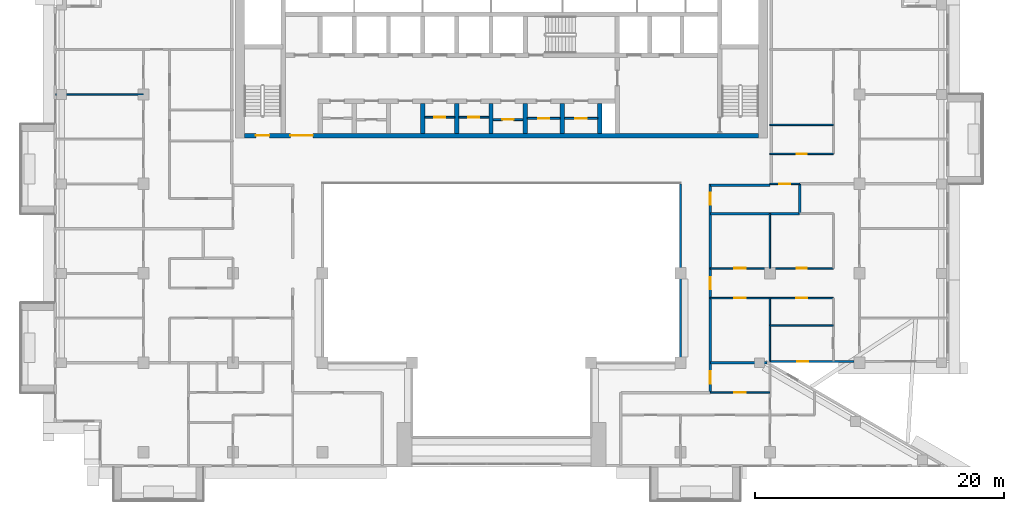
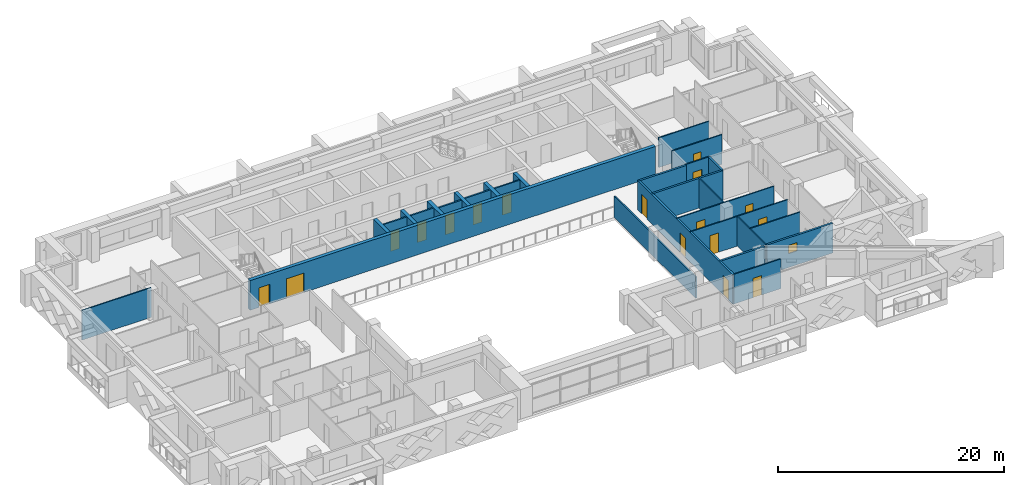
# One storey, part 9 of 20: 29 walls, 17 doors, 1 window, 18 openings.
"""IFC4 building model written with IfcOpenShell, lengths in metres."""

from ifc_helpers import new_model, si_unit, direction, frame, frame_2d, origin, place, context, subcontext, project, spatial, rectangle, extrude, material, layer, layer_set, type_object, element, fill, save


model = new_model("IFC4")

# Units and contexts
model_context = context("Model", 3, precision=1e-05, world=origin(), true_north=direction((0.0, 1.0)))
body_context = subcontext(model_context, "Body", "Model", "MODEL_VIEW")
ifc_project = project(units=[si_unit("LENGTHUNIT", "METRE"), si_unit("AREAUNIT", "SQUARE_METRE"), si_unit("VOLUMEUNIT", "CUBIC_METRE"), si_unit("PLANEANGLEUNIT", "RADIAN"), si_unit("MASSUNIT", "GRAM", prefix="KILO")], contexts=[model_context])

# Site, building, storey
site_placement = place(None, origin())
site = spatial("IfcSite", under=ifc_project, at=site_placement, CompositionType="ELEMENT")
building_placement = place(site_placement, origin())
building = spatial("IfcBuilding", under=site, at=building_placement, Name="Saffron Iwan Residences", CompositionType="ELEMENT")
storey_placement = place(building_placement, frame((0.0, 0.0, 192.0)))
storey = spatial("IfcBuildingStorey", under=building, at=storey_placement, Name="L51", CompositionType="ELEMENT", Elevation=192.0)

# Wall
ifc_material_1 = material(Name="Fire-rated glazing", Category="glass")
ifc_layer_1 = layer(ifc_material_1, 0.14990234375)
ifc_layer_set_1 = layer_set([ifc_layer_1], Name="Fire-rated glazing")
wall_type_1 = type_object("IfcWallType", Name="Atrium glazed screen 150", PredefinedType="SOLIDWALL", material=ifc_layer_set_1)
wall_1_placement = place(storey_placement, frame((64.800048828125, 48.0, 0.0), z_axis=(0.0, 0.0, 1.0), x_axis=(0.0, 1.0, 0.0)))
element("IfcWall", 1, at=wall_1_placement, inside=storey, type_object=wall_type_1, Name="W-L51-SCREEN-v64.8-48", PredefinedType="SOLIDWALL", context=body_context, shape_type="SweptSolid", body=[
    extrude(rectangle(XDim=14.39990234375, YDim=0.14990234375, at=frame_2d((7.199951171875, 0.0))), origin(), (0.0, 0.0, 1.0), 2.300048828125),
])

# Wall, opening, door
ifc_material_2 = material(Name="Fire-rated plasterboard partition")
ifc_layer_2 = layer(ifc_material_2, 0.14990234375)
ifc_layer_set_2 = layer_set([ifc_layer_2], Name="Fire-rated plasterboard partition")
wall_type_2 = type_object("IfcWallType", Name="Core partition 150", PredefinedType="PARTITIONING", material=ifc_layer_set_2)
wall_2_placement = place(storey_placement, frame((44.22509765625, 67.759521484375, 0.0), z_axis=(0.0, 0.0, 1.0), x_axis=(1.0, 0.0, 0.0)))
wall_2 = element("IfcWall", 2, at=wall_2_placement, inside=storey, type_object=wall_type_2, Name="Core partition P03", PredefinedType="PARTITIONING", context=body_context, shape_type="SweptSolid", body=[
    extrude(rectangle(XDim=2.39990234375, YDim=0.14990234375, at=frame_2d((1.199951171875, 0.0))), origin(), (0.0, 0.0, 1.0), 3.199951171875),
])
opening_1_placement = place(wall_2_placement, frame((0.75, 0.0, 0.0)))
opening_1 = element("IfcOpeningElement", 3, at=opening_1_placement, cuts=wall_2, Name="Opening SB", PredefinedType="OPENING", context=body_context, shape_type="SweptSolid", body=[
    extrude(rectangle(XDim=0.89990234375, YDim=2.10009765625, at=frame_2d((0.449951171875, 1.050048828125))), frame((0.0, 0.0849609375, 0.0), z_axis=(0.0, -1.0, 0.0), x_axis=(1.0, 0.0, 0.0)), (0.0, 0.0, 1.0), 0.169921875),
])
ifc_material_3 = material(Name="Steel fire door", Category="steel")
door_type_1 = type_object("IfcDoorType", Name="Store door 900", OperationType="NOTDEFINED", PredefinedType="DOOR", material=ifc_material_3)
door_1_placement = place(opening_1_placement, origin())
door_1 = element("IfcDoor", 4, at=door_1_placement, inside=storey, type_object=door_type_1, Name="Door Records store", OperationType="SINGLE_SWING_RIGHT", OverallHeight=2.10009765625, OverallWidth=0.89990234375, PredefinedType="DOOR", context=body_context, shape_type="SweptSolid", body=[
    extrude(rectangle(XDim=0.89990234375, YDim=2.10009765625, at=frame_2d((0.449951171875, 1.050048828125))), frame((0.0, 0.02490234375, 0.0), z_axis=(0.0, -1.0, 0.0), x_axis=(1.0, 0.0, 0.0)), (0.0, 0.0, 1.0), 0.050048828125),
])
fill(opening_1, door_1)

wall_3_placement = place(storey_placement, frame((46.97509765625, 67.759521484375, 0.0), z_axis=(0.0, 0.0, 1.0), x_axis=(1.0, 0.0, 0.0)))
wall_3 = element("IfcWall", 5, at=wall_3_placement, inside=storey, type_object=wall_type_2, Name="Core partition P04", PredefinedType="PARTITIONING", context=body_context, shape_type="SweptSolid", body=[
    extrude(rectangle(XDim=2.39990234375, YDim=0.14990234375, at=frame_2d((1.199951171875, 0.0))), origin(), (0.0, 0.0, 1.0), 3.199951171875),
])
opening_2_placement = place(wall_3_placement, frame((0.75, 0.0, 0.0)))
opening_2 = element("IfcOpeningElement", 6, at=opening_2_placement, cuts=wall_3, Name="Opening SB", PredefinedType="OPENING", context=body_context, shape_type="SweptSolid", body=[
    extrude(rectangle(XDim=0.89990234375, YDim=2.10009765625, at=frame_2d((0.449951171875, 1.050048828125))), frame((0.0, 0.0849609375, 0.0), z_axis=(0.0, -1.0, 0.0), x_axis=(1.0, 0.0, 0.0)), (0.0, 0.0, 1.0), 0.169921875),
])
door_2_placement = place(opening_2_placement, origin())
door_2 = element("IfcDoor", 7, at=door_2_placement, inside=storey, type_object=door_type_1, Name="Door Stationery store", OperationType="SINGLE_SWING_LEFT", OverallHeight=2.10009765625, OverallWidth=0.89990234375, PredefinedType="DOOR", context=body_context, shape_type="SweptSolid", body=[
    extrude(rectangle(XDim=0.89990234375, YDim=2.10009765625, at=frame_2d((0.449951171875, 1.050048828125))), frame((0.0, 0.02490234375, 0.0), z_axis=(0.0, -1.0, 0.0), x_axis=(1.0, 0.0, 0.0)), (0.0, 0.0, 1.0), 0.050048828125),
])
fill(opening_2, door_2)

wall_4_placement = place(storey_placement, frame((49.72509765625, 67.5654296875, 0.0), z_axis=(0.0, 0.0, 1.0), x_axis=(1.0, 0.0, 0.0)))
wall_4 = element("IfcWall", 8, at=wall_4_placement, inside=storey, type_object=wall_type_2, Name="Core partition P05", PredefinedType="PARTITIONING", context=body_context, shape_type="SweptSolid", body=[
    extrude(rectangle(XDim=2.39990234375, YDim=0.14990234375, at=frame_2d((1.199951171875, 0.0))), origin(), (0.0, 0.0, 1.0), 3.199951171875),
])
opening_3_placement = place(wall_4_placement, frame((0.75, 0.0, 0.0)))
opening_3 = element("IfcOpeningElement", 9, at=opening_3_placement, cuts=wall_4, Name="Opening SB", PredefinedType="OPENING", context=body_context, shape_type="SweptSolid", body=[
    extrude(rectangle(XDim=0.89990234375, YDim=2.10009765625, at=frame_2d((0.449951171875, 1.050048828125))), frame((0.0, 0.0849609375, 0.0), z_axis=(0.0, -1.0, 0.0), x_axis=(1.0, 0.0, 0.0)), (0.0, 0.0, 1.0), 0.169921875),
])
door_3_placement = place(opening_3_placement, origin())
door_3 = element("IfcDoor", 10, at=door_3_placement, inside=storey, type_object=door_type_1, Name="Door Tool store", OperationType="SINGLE_SWING_LEFT", OverallHeight=2.10009765625, OverallWidth=0.89990234375, PredefinedType="DOOR", context=body_context, shape_type="SweptSolid", body=[
    extrude(rectangle(XDim=0.89990234375, YDim=2.10009765625, at=frame_2d((0.449951171875, 1.050048828125))), frame((0.0, 0.02490234375, 0.0), z_axis=(0.0, -1.0, 0.0), x_axis=(1.0, 0.0, 0.0)), (0.0, 0.0, 1.0), 0.050048828125),
])
fill(opening_3, door_3)

wall_5_placement = place(storey_placement, frame((52.47509765625, 67.66259765625, 0.0), z_axis=(0.0, 0.0, 1.0), x_axis=(1.0, 0.0, 0.0)))
wall_5 = element("IfcWall", 11, at=wall_5_placement, inside=storey, type_object=wall_type_2, Name="Core partition P06", PredefinedType="PARTITIONING", context=body_context, shape_type="SweptSolid", body=[
    extrude(rectangle(XDim=2.64990234375, YDim=0.14990234375, at=frame_2d((1.324951171875, 0.0))), origin(), (0.0, 0.0, 1.0), 3.199951171875),
])
opening_4_placement = place(wall_5_placement, frame((0.875, 0.0, 0.0)))
opening_4 = element("IfcOpeningElement", 12, at=opening_4_placement, cuts=wall_5, Name="Opening SB", PredefinedType="OPENING", context=body_context, shape_type="SweptSolid", body=[
    extrude(rectangle(XDim=0.89990234375, YDim=2.10009765625, at=frame_2d((0.449951171875, 1.050048828125))), frame((0.0, 0.0849609375, 0.0), z_axis=(0.0, -1.0, 0.0), x_axis=(1.0, 0.0, 0.0)), (0.0, 0.0, 1.0), 0.169921875),
])
door_4_placement = place(opening_4_placement, origin())
door_4 = element("IfcDoor", 13, at=door_4_placement, inside=storey, type_object=door_type_1, Name="Door Spares store", OperationType="SINGLE_SWING_LEFT", OverallHeight=2.10009765625, OverallWidth=0.89990234375, PredefinedType="DOOR", context=body_context, shape_type="SweptSolid", body=[
    extrude(rectangle(XDim=0.89990234375, YDim=2.10009765625, at=frame_2d((0.449951171875, 1.050048828125))), frame((0.0, 0.02490234375, 0.0), z_axis=(0.0, -1.0, 0.0), x_axis=(1.0, 0.0, 0.0)), (0.0, 0.0, 1.0), 0.050048828125),
])
fill(opening_4, door_4)

wall_6_placement = place(storey_placement, frame((55.47509765625, 67.66259765625, 0.0), z_axis=(0.0, 0.0, 1.0), x_axis=(1.0, 0.0, 0.0)))
wall_6 = element("IfcWall", 14, at=wall_6_placement, inside=storey, type_object=wall_type_2, Name="Core partition P07", PredefinedType="PARTITIONING", context=body_context, shape_type="SweptSolid", body=[
    extrude(rectangle(XDim=2.64990234375, YDim=0.14990234375, at=frame_2d((1.324951171875, 0.0))), origin(), (0.0, 0.0, 1.0), 3.199951171875),
])
opening_5_placement = place(wall_6_placement, frame((0.875, 0.0, 0.0)))
opening_5 = element("IfcOpeningElement", 15, at=opening_5_placement, cuts=wall_6, Name="Opening SB", PredefinedType="OPENING", context=body_context, shape_type="SweptSolid", body=[
    extrude(rectangle(XDim=0.89990234375, YDim=2.10009765625, at=frame_2d((0.449951171875, 1.050048828125))), frame((0.0, 0.0849609375, 0.0), z_axis=(0.0, -1.0, 0.0), x_axis=(1.0, 0.0, 0.0)), (0.0, 0.0, 1.0), 0.169921875),
])
door_5_placement = place(opening_5_placement, origin())
door_5 = element("IfcDoor", 16, at=door_5_placement, inside=storey, type_object=door_type_1, Name="Door Battery room", OperationType="SINGLE_SWING_LEFT", OverallHeight=2.10009765625, OverallWidth=0.89990234375, PredefinedType="DOOR", context=body_context, shape_type="SweptSolid", body=[
    extrude(rectangle(XDim=0.89990234375, YDim=2.10009765625, at=frame_2d((0.449951171875, 1.050048828125))), frame((0.0, 0.02490234375, 0.0), z_axis=(0.0, -1.0, 0.0), x_axis=(1.0, 0.0, 0.0)), (0.0, 0.0, 1.0), 0.050048828125),
])
fill(opening_5, door_5)

# Wall, opening, window
ifc_material_4 = material(Name="Concrete C40/50", Category="concrete")
ifc_layer_3 = layer(ifc_material_4, 0.199951171875)
ifc_layer_set_3 = layer_set([ifc_layer_3], Name="Concrete C40/50")
wall_type_3 = type_object("IfcWallType", Name="EXTERNAL WALL 200", PredefinedType="SOLIDWALL", material=ifc_layer_set_3)
wall_7_placement = place(storey_placement, frame((71.989990234375, 48.10009765625, 0.0), z_axis=(0.0, 0.0, 1.0), x_axis=(1.0, 0.0, 0.0)))
wall_7 = element("IfcWall", 17, at=wall_7_placement, inside=storey, type_object=wall_type_3, Name="External wall L51 F1.0", PredefinedType="SOLIDWALL", context=body_context, shape_type="SweptSolid", body=[
    extrude(rectangle(XDim=6.760009765625, YDim=0.199951171875, at=frame_2d((3.3798828125, 0.0))), origin(), (0.0, 0.0, 1.0), 3.199951171875),
])
opening_6_placement = place(wall_7_placement, frame((2.204833984375, 0.0, 1.5)))
opening_6 = element("IfcOpeningElement", 18, at=opening_6_placement, cuts=wall_7, Name="Opening W6", PredefinedType="OPENING", context=body_context, shape_type="SweptSolid", body=[
    extrude(rectangle(XDim=0.89990234375, YDim=0.89990234375, at=frame_2d((0.449951171875, 0.449951171875))), frame((0.0, 0.10986328125, 0.0), z_axis=(0.0, -1.0, 0.0), x_axis=(1.0, 0.0, 0.0)), (0.0, 0.0, 1.0), 0.219970703125),
])
ifc_material_5 = material(Name="Clear glass, laminated double glazed", Category="glass")
window_type = type_object("IfcWindowType", Name="WINDOW 900 x 900 BATH", PartitioningType="SINGLE_PANEL", PredefinedType="WINDOW", material=ifc_material_5)
window_placement = place(opening_6_placement, origin())
window = element("IfcWindow", 19, at=window_placement, inside=storey, type_object=window_type, Name="Window L51 F1.0", OverallHeight=0.89990234375, OverallWidth=0.89990234375, PartitioningType="SINGLE_PANEL", PredefinedType="WINDOW", context=body_context, shape_type="SweptSolid", body=[
    extrude(rectangle(XDim=0.89990234375, YDim=0.89990234375, at=frame_2d((0.449951171875, 0.449951171875))), frame((0.0, 0.030029296875, 0.0), z_axis=(0.0, -1.0, 0.0), x_axis=(1.0, 0.0, 0.0)), (0.0, 0.0, 1.0), 0.06005859375),
])
fill(opening_6, window)

# Walls
ifc_material_6 = material(Name="Fire-rated gypsum board wall")
ifc_layer_4 = layer(ifc_material_6, 0.199951171875)
ifc_layer_set_4 = layer_set([ifc_layer_4], Name="Fire-rated gypsum board wall")
wall_type_4 = type_object("IfcWallType", Name="Flat demising wall 200", PredefinedType="SOLIDWALL", material=ifc_layer_set_4)
wall_8_placement = place(storey_placement, frame((67.199951171875, 48.0, 0.0), z_axis=(0.0, 0.0, 1.0), x_axis=(1.0, 0.0, 0.0)))
element("IfcWall", 20, at=wall_8_placement, inside=storey, type_object=wall_type_4, Name="W-L51-DEMISE-h48-67.2", PredefinedType="SOLIDWALL", context=body_context, shape_type="SweptSolid", body=[
    extrude(rectangle(XDim=4.552001953125, YDim=0.199951171875, at=frame_2d((2.27587890625, 0.0))), origin(), (0.0, 0.0, 1.0), 3.199951171875),
])
wall_9_placement = place(storey_placement, frame((67.199951171875, 60.0, 0.0), z_axis=(0.0, 0.0, 1.0), x_axis=(1.0, 0.0, 0.0)))
element("IfcWall", 21, at=wall_9_placement, inside=storey, type_object=wall_type_4, Name="W-L51-DEMISE-h60-67.2", PredefinedType="SOLIDWALL", context=body_context, shape_type="SweptSolid", body=[
    extrude(rectangle(XDim=7.199951171875, YDim=0.199951171875, at=frame_2d((3.60009765625, 0.0))), origin(), (0.0, 0.0, 1.0), 3.199951171875),
])
wall_10_placement = place(storey_placement, frame((74.39990234375, 60.0, 0.0), z_axis=(0.0, 0.0, 1.0), x_axis=(0.0, 1.0, 0.0)))
element("IfcWall", 22, at=wall_10_placement, inside=storey, type_object=wall_type_4, Name="W-L51-DEMISE-v74.4-60", PredefinedType="SOLIDWALL", context=body_context, shape_type="SweptSolid", body=[
    extrude(rectangle(XDim=2.39990234375, YDim=0.199951171875, at=frame_2d((1.199951171875, 0.0))), origin(), (0.0, 0.0, 1.0), 3.199951171875),
])

# Wall, opening, door
ifc_material_7 = material(Name="Gypsum board partition")
ifc_layer_5 = layer(ifc_material_7, 0.1201171875)
ifc_layer_set_5 = layer_set([ifc_layer_5], Name="Gypsum board partition")
wall_type_5 = type_object("IfcWallType", Name="Flat partition 120", PredefinedType="PARTITIONING", material=ifc_layer_set_5)
wall_11_placement = place(storey_placement, frame((67.199951171875, 45.60009765625, 0.0), z_axis=(0.0, 0.0, 1.0), x_axis=(1.0, 0.0, 0.0)))
wall_11 = element("IfcWall", 23, at=wall_11_placement, inside=storey, type_object=wall_type_5, Name="W-L51-PART-h45.6-67.2", PredefinedType="PARTITIONING", context=body_context, shape_type="SweptSolid", body=[
    extrude(rectangle(XDim=4.800048828125, YDim=0.1201171875, at=frame_2d((2.39990234375, 0.0))), origin(), (0.0, 0.0, 1.0), 3.199951171875),
])
opening_7_placement = place(wall_11_placement, frame((1.949951171875, 0.0, 0.0)))
opening_7 = element("IfcOpeningElement", 24, at=opening_7_placement, cuts=wall_11, Name="Opening FD2", PredefinedType="OPENING", context=body_context, shape_type="SweptSolid", body=[
    extrude(rectangle(XDim=0.89990234375, YDim=2.10009765625, at=frame_2d((0.449951171875, 1.050048828125))), frame((0.0, 0.070068359375, 0.0), z_axis=(0.0, -1.0, 0.0), x_axis=(1.0, 0.0, 0.0)), (0.0, 0.0, 1.0), 0.14013671875),
])
ifc_material_8 = material(Name="Timber door", Category="wood")
door_type_2 = type_object("IfcDoorType", Name="Flat door 900", OperationType="NOTDEFINED", PredefinedType="DOOR", material=ifc_material_8)
door_6_placement = place(opening_7_placement, origin())
door_6 = element("IfcDoor", 25, at=door_6_placement, inside=storey, type_object=door_type_2, Name="Door L51-043", OperationType="SINGLE_SWING_RIGHT", OverallHeight=2.10009765625, OverallWidth=0.89990234375, PredefinedType="DOOR", context=body_context, shape_type="SweptSolid", body=[
    extrude(rectangle(XDim=0.89990234375, YDim=2.10009765625, at=frame_2d((0.449951171875, 1.050048828125))), frame((0.0, 0.02490234375, 0.0), z_axis=(0.0, -1.0, 0.0), x_axis=(1.0, 0.0, 0.0)), (0.0, 0.0, 1.0), 0.050048828125),
])
fill(opening_7, door_6)

# Wall
wall_12_placement = place(storey_placement, frame((72.0, 51.0, 0.0), z_axis=(0.0, 0.0, 1.0), x_axis=(1.0, 0.0, 0.0)))
element("IfcWall", 26, at=wall_12_placement, inside=storey, type_object=wall_type_5, Name="W-L51-PART-h51-72", PredefinedType="PARTITIONING", context=body_context, shape_type="SweptSolid", body=[
    extrude(rectangle(XDim=5.10009765625, YDim=0.1201171875, at=frame_2d((2.550048828125, 0.0))), origin(), (0.0, 0.0, 1.0), 3.199951171875),
])

# Wall, openings, doors
wall_13_placement = place(storey_placement, frame((67.199951171875, 53.199951171875, 0.0), z_axis=(0.0, 0.0, 1.0), x_axis=(1.0, 0.0, 0.0)))
wall_13 = element("IfcWall", 27, at=wall_13_placement, inside=storey, type_object=wall_type_5, Name="W-L51-PART-h53.2-67.2", PredefinedType="PARTITIONING", context=body_context, shape_type="SweptSolid", body=[
    extrude(rectangle(XDim=9.900146484375, YDim=0.1201171875, at=frame_2d((4.9501953125, 0.0))), origin(), (0.0, 0.0, 1.0), 3.199951171875),
])
opening_8_placement = place(wall_13_placement, frame((6.89990234375, 0.0, 0.0)))
opening_8 = element("IfcOpeningElement", 28, at=opening_8_placement, cuts=wall_13, Name="Opening FD2", PredefinedType="OPENING", context=body_context, shape_type="SweptSolid", body=[
    extrude(rectangle(XDim=0.89990234375, YDim=2.10009765625, at=frame_2d((0.449951171875, 1.050048828125))), frame((0.0, 0.070068359375, 0.0), z_axis=(0.0, -1.0, 0.0), x_axis=(1.0, 0.0, 0.0)), (0.0, 0.0, 1.0), 0.14013671875),
])
opening_9_placement = place(wall_13_placement, frame((1.949951171875, 0.0, 0.0)))
opening_9 = element("IfcOpeningElement", 29, at=opening_9_placement, cuts=wall_13, Name="Opening FD2", PredefinedType="OPENING", context=body_context, shape_type="SweptSolid", body=[
    extrude(rectangle(XDim=0.89990234375, YDim=2.10009765625, at=frame_2d((0.449951171875, 1.050048828125))), frame((0.0, 0.070068359375, 0.0), z_axis=(0.0, -1.0, 0.0), x_axis=(1.0, 0.0, 0.0)), (0.0, 0.0, 1.0), 0.14013671875),
])
door_7_placement = place(opening_8_placement, origin())
door_7 = element("IfcDoor", 30, at=door_7_placement, inside=storey, type_object=door_type_2, Name="Door L51-020", OperationType="SINGLE_SWING_LEFT", OverallHeight=2.10009765625, OverallWidth=0.89990234375, PredefinedType="DOOR", context=body_context, shape_type="SweptSolid", body=[
    extrude(rectangle(XDim=0.89990234375, YDim=2.10009765625, at=frame_2d((0.449951171875, 1.050048828125))), frame((0.0, 0.02490234375, 0.0), z_axis=(0.0, -1.0, 0.0), x_axis=(1.0, 0.0, 0.0)), (0.0, 0.0, 1.0), 0.050048828125),
])
fill(opening_8, door_7)
door_8_placement = place(opening_9_placement, origin())
door_8 = element("IfcDoor", 31, at=door_8_placement, inside=storey, type_object=door_type_2, Name="Door L51-022", OperationType="SINGLE_SWING_RIGHT", OverallHeight=2.10009765625, OverallWidth=0.89990234375, PredefinedType="DOOR", context=body_context, shape_type="SweptSolid", body=[
    extrude(rectangle(XDim=0.89990234375, YDim=2.10009765625, at=frame_2d((0.449951171875, 1.050048828125))), frame((0.0, 0.02490234375, 0.0), z_axis=(0.0, -1.0, 0.0), x_axis=(1.0, 0.0, 0.0)), (0.0, 0.0, 1.0), 0.050048828125),
])
fill(opening_9, door_8)

wall_14_placement = place(storey_placement, frame((67.199951171875, 55.60009765625, 0.0), z_axis=(0.0, 0.0, 1.0), x_axis=(1.0, 0.0, 0.0)))
wall_14 = element("IfcWall", 32, at=wall_14_placement, inside=storey, type_object=wall_type_5, Name="W-L51-PART-h55.6-67.2", PredefinedType="PARTITIONING", context=body_context, shape_type="SweptSolid", body=[
    extrude(rectangle(XDim=9.900146484375, YDim=0.1201171875, at=frame_2d((4.9501953125, 0.0))), origin(), (0.0, 0.0, 1.0), 3.199951171875),
])
opening_10_placement = place(wall_14_placement, frame((6.949951171875, 0.0, 0.0)))
opening_10 = element("IfcOpeningElement", 33, at=opening_10_placement, cuts=wall_14, Name="Opening FD3", PredefinedType="OPENING", context=body_context, shape_type="SweptSolid", body=[
    extrude(rectangle(XDim=0.800048828125, YDim=2.10009765625, at=frame_2d((0.39990234375, 1.050048828125))), frame((0.0, 0.070068359375, 0.0), z_axis=(0.0, -1.0, 0.0), x_axis=(1.0, 0.0, 0.0)), (0.0, 0.0, 1.0), 0.14013671875),
])
opening_11_placement = place(wall_14_placement, frame((1.949951171875, 0.0, 0.0)))
opening_11 = element("IfcOpeningElement", 34, at=opening_11_placement, cuts=wall_14, Name="Opening FD2", PredefinedType="OPENING", context=body_context, shape_type="SweptSolid", body=[
    extrude(rectangle(XDim=0.89990234375, YDim=2.10009765625, at=frame_2d((0.449951171875, 1.050048828125))), frame((0.0, 0.070068359375, 0.0), z_axis=(0.0, -1.0, 0.0), x_axis=(1.0, 0.0, 0.0)), (0.0, 0.0, 1.0), 0.14013671875),
])
door_type_3 = type_object("IfcDoorType", Name="Bathroom door 800", OperationType="NOTDEFINED", PredefinedType="DOOR", material=ifc_material_8)
door_9_placement = place(opening_10_placement, origin())
door_9 = element("IfcDoor", 35, at=door_9_placement, inside=storey, type_object=door_type_3, Name="Door L51-021", OperationType="SINGLE_SWING_LEFT", OverallHeight=2.10009765625, OverallWidth=0.800048828125, PredefinedType="DOOR", context=body_context, shape_type="SweptSolid", body=[
    extrude(rectangle(XDim=0.800048828125, YDim=2.10009765625, at=frame_2d((0.39990234375, 1.050048828125))), frame((0.0, 0.02490234375, 0.0), z_axis=(0.0, -1.0, 0.0), x_axis=(1.0, 0.0, 0.0)), (0.0, 0.0, 1.0), 0.050048828125),
])
fill(opening_10, door_9)
door_10_placement = place(opening_11_placement, origin())
door_10 = element("IfcDoor", 36, at=door_10_placement, inside=storey, type_object=door_type_2, Name="Door L51-023", OperationType="SINGLE_SWING_LEFT", OverallHeight=2.10009765625, OverallWidth=0.89990234375, PredefinedType="DOOR", context=body_context, shape_type="SweptSolid", body=[
    extrude(rectangle(XDim=0.89990234375, YDim=2.10009765625, at=frame_2d((0.449951171875, 1.050048828125))), frame((0.0, 0.02490234375, 0.0), z_axis=(0.0, -1.0, 0.0), x_axis=(1.0, 0.0, 0.0)), (0.0, 0.0, 1.0), 0.050048828125),
])
fill(opening_11, door_10)

# Wall, opening, door
wall_15_placement = place(storey_placement, frame((72.0, 62.39990234375, 0.0), z_axis=(0.0, 0.0, 1.0), x_axis=(1.0, 0.0, 0.0)))
wall_15 = element("IfcWall", 37, at=wall_15_placement, inside=storey, type_object=wall_type_5, Name="W-L51-PART-h62.4-72", PredefinedType="PARTITIONING", context=body_context, shape_type="SweptSolid", body=[
    extrude(rectangle(XDim=2.39990234375, YDim=0.1201171875, at=frame_2d((1.199951171875, 0.0))), origin(), (0.0, 0.0, 1.0), 3.199951171875),
])
opening_12_placement = place(wall_15_placement, frame((0.75, 0.0, 0.0)))
opening_12 = element("IfcOpeningElement", 38, at=opening_12_placement, cuts=wall_15, Name="Opening FD2", PredefinedType="OPENING", context=body_context, shape_type="SweptSolid", body=[
    extrude(rectangle(XDim=0.89990234375, YDim=2.10009765625, at=frame_2d((0.449951171875, 1.050048828125))), frame((0.0, 0.070068359375, 0.0), z_axis=(0.0, -1.0, 0.0), x_axis=(1.0, 0.0, 0.0)), (0.0, 0.0, 1.0), 0.14013671875),
])
door_11_placement = place(opening_12_placement, origin())
door_11 = element("IfcDoor", 39, at=door_11_placement, inside=storey, type_object=door_type_2, Name="Door L51-034", OperationType="SINGLE_SWING_RIGHT", OverallHeight=2.10009765625, OverallWidth=0.89990234375, PredefinedType="DOOR", context=body_context, shape_type="SweptSolid", body=[
    extrude(rectangle(XDim=0.89990234375, YDim=2.10009765625, at=frame_2d((0.449951171875, 1.050048828125))), frame((0.0, 0.02490234375, 0.0), z_axis=(0.0, -1.0, 0.0), x_axis=(1.0, 0.0, 0.0)), (0.0, 0.0, 1.0), 0.050048828125),
])
fill(opening_12, door_11)

wall_16_placement = place(storey_placement, frame((72.0, 64.800048828125, 0.0), z_axis=(0.0, 0.0, 1.0), x_axis=(1.0, 0.0, 0.0)))
wall_16 = element("IfcWall", 40, at=wall_16_placement, inside=storey, type_object=wall_type_5, Name="W-L51-PART-h64.8-72", PredefinedType="PARTITIONING", context=body_context, shape_type="SweptSolid", body=[
    extrude(rectangle(XDim=5.10009765625, YDim=0.1201171875, at=frame_2d((2.550048828125, 0.0))), origin(), (0.0, 0.0, 1.0), 3.199951171875),
])
opening_13_placement = place(wall_16_placement, frame((2.14990234375, 0.0, 0.0)))
opening_13 = element("IfcOpeningElement", 41, at=opening_13_placement, cuts=wall_16, Name="Opening FD3", PredefinedType="OPENING", context=body_context, shape_type="SweptSolid", body=[
    extrude(rectangle(XDim=0.800048828125, YDim=2.10009765625, at=frame_2d((0.39990234375, 1.050048828125))), frame((0.0, 0.070068359375, 0.0), z_axis=(0.0, -1.0, 0.0), x_axis=(1.0, 0.0, 0.0)), (0.0, 0.0, 1.0), 0.14013671875),
])
door_12_placement = place(opening_13_placement, origin())
door_12 = element("IfcDoor", 42, at=door_12_placement, inside=storey, type_object=door_type_3, Name="Door L51-040", OperationType="SINGLE_SWING_RIGHT", OverallHeight=2.10009765625, OverallWidth=0.800048828125, PredefinedType="DOOR", context=body_context, shape_type="SweptSolid", body=[
    extrude(rectangle(XDim=0.800048828125, YDim=2.10009765625, at=frame_2d((0.39990234375, 1.050048828125))), frame((0.0, 0.02490234375, 0.0), z_axis=(0.0, -1.0, 0.0), x_axis=(1.0, 0.0, 0.0)), (0.0, 0.0, 1.0), 0.050048828125),
])
fill(opening_13, door_12)

# Walls
wall_17_placement = place(storey_placement, frame((72.0, 67.14990234375, 0.0), z_axis=(0.0, 0.0, 1.0), x_axis=(1.0, 0.0, 0.0)))
element("IfcWall", 43, at=wall_17_placement, inside=storey, type_object=wall_type_5, Name="W-L51-PART-h67.15-72", PredefinedType="PARTITIONING", context=body_context, shape_type="SweptSolid", body=[
    extrude(rectangle(XDim=5.10009765625, YDim=0.1201171875, at=frame_2d((2.550048828125, 0.0))), origin(), (0.0, 0.0, 1.0), 3.199951171875),
])
wall_18_placement = place(storey_placement, frame((14.52490234375, 69.60009765625, 0.0), z_axis=(0.0, 0.0, 1.0), x_axis=(1.0, 0.0, 0.0)))
element("IfcWall", 44, at=wall_18_placement, inside=storey, type_object=wall_type_5, Name="W-L51-PART-h69.6-14.525", PredefinedType="PARTITIONING", context=body_context, shape_type="SweptSolid", body=[
    extrude(rectangle(XDim=7.0751953125, YDim=0.1201171875, at=frame_2d((3.53759765625, 0.0))), origin(), (0.0, 0.0, 1.0), 3.199951171875),
])
wall_19_placement = place(storey_placement, frame((72.0, 48.125, 0.0), z_axis=(0.0, 0.0, 1.0), x_axis=(0.0, 1.0, 0.0)))
element("IfcWall", 45, at=wall_19_placement, inside=storey, type_object=wall_type_5, Name="W-L51-PART-v72-48.125", PredefinedType="PARTITIONING", context=body_context, shape_type="SweptSolid", body=[
    extrude(rectangle(XDim=5.074951171875, YDim=0.1201171875, at=frame_2d((2.53759765625, 0.0))), origin(), (0.0, 0.0, 1.0), 3.199951171875),
])
wall_20_placement = place(storey_placement, frame((72.0, 55.60009765625, 0.0), z_axis=(0.0, 0.0, 1.0), x_axis=(0.0, 1.0, 0.0)))
element("IfcWall", 46, at=wall_20_placement, inside=storey, type_object=wall_type_5, Name="W-L51-PART-v72-55.6", PredefinedType="PARTITIONING", context=body_context, shape_type="SweptSolid", body=[
    extrude(rectangle(XDim=4.39990234375, YDim=0.1201171875, at=frame_2d((2.199951171875, 0.0))), origin(), (0.0, 0.0, 1.0), 3.199951171875),
])
ifc_layer_6 = layer(ifc_material_6, 0.199951171875)
ifc_layer_set_6 = layer_set([ifc_layer_6], Name="Fire-rated gypsum board wall")
wall_type_6 = type_object("IfcWallType", Name="Gallery wall 200", PredefinedType="SOLIDWALL", material=ifc_layer_set_6)
wall_21_placement = place(storey_placement, frame((67.199951171875, 62.300048828125, 0.0), z_axis=(0.0, 0.0, 1.0), x_axis=(1.0, 0.0, 0.0)))
element("IfcWall", 47, at=wall_21_placement, inside=storey, type_object=wall_type_6, Name="W-L51-CORR-h62.4-67.2", PredefinedType="SOLIDWALL", context=body_context, shape_type="SweptSolid", body=[
    extrude(rectangle(XDim=4.800048828125, YDim=0.199951171875, at=frame_2d((2.39990234375, 0.0))), origin(), (0.0, 0.0, 1.0), 3.199951171875),
])

# Wall, openings, doors
wall_22_placement = place(storey_placement, frame((67.199951171875, 45.60009765625, 0.0), z_axis=(0.0, 0.0, 1.0), x_axis=(0.0, 1.0, 0.0)))
wall_22 = element("IfcWall", 48, at=wall_22_placement, inside=storey, type_object=wall_type_6, Name="W-L51-CORR-v67.2-45.6", PredefinedType="SOLIDWALL", context=body_context, shape_type="SweptSolid", body=[
    extrude(rectangle(XDim=16.7998046875, YDim=0.199951171875, at=frame_2d((8.39990234375, 0.0))), origin(), (0.0, 0.0, 1.0), 3.199951171875),
])
opening_14_placement = place(wall_22_placement, frame((8.300048828125, 0.0, 0.0)))
opening_14 = element("IfcOpeningElement", 49, at=opening_14_placement, cuts=wall_22, Name="Opening FD1", PredefinedType="OPENING", context=body_context, shape_type="SweptSolid", body=[
    extrude(rectangle(XDim=1.0, YDim=2.10009765625, at=frame_2d((0.5, 1.050048828125))), frame((0.0, 0.10986328125, 0.0), z_axis=(0.0, -1.0, 0.0), x_axis=(1.0, 0.0, 0.0)), (0.0, 0.0, 1.0), 0.219970703125),
])
opening_15_placement = place(wall_22_placement, frame((15.10009765625, 0.0, 0.0)))
opening_15 = element("IfcOpeningElement", 50, at=opening_15_placement, cuts=wall_22, Name="Opening FD5", PredefinedType="OPENING", context=body_context, shape_type="SweptSolid", body=[
    extrude(rectangle(XDim=1.0, YDim=2.10009765625, at=frame_2d((0.5, 1.050048828125))), frame((0.0, 0.10986328125, 0.0), z_axis=(0.0, -1.0, 0.0), x_axis=(1.0, 0.0, 0.0)), (0.0, 0.0, 1.0), 0.219970703125),
])
opening_16_placement = place(wall_22_placement, frame((0.699951171875, 0.0, 0.0)))
opening_16 = element("IfcOpeningElement", 51, at=opening_16_placement, cuts=wall_22, Name="Opening FD5", PredefinedType="OPENING", context=body_context, shape_type="SweptSolid", body=[
    extrude(rectangle(XDim=1.0, YDim=2.10009765625, at=frame_2d((0.5, 1.050048828125))), frame((0.0, 0.10986328125, 0.0), z_axis=(0.0, -1.0, 0.0), x_axis=(1.0, 0.0, 0.0)), (0.0, 0.0, 1.0), 0.219970703125),
])
ifc_material_9 = material(Name="Fire-rated timber door", Category="wood")
door_type_4 = type_object("IfcDoorType", Name="FD30S flat entrance door 1000", OperationType="NOTDEFINED", PredefinedType="DOOR", material=ifc_material_9)
door_13_placement = place(opening_14_placement, origin())
door_13 = element("IfcDoor", 52, at=door_13_placement, inside=storey, type_object=door_type_4, Name="Door L51-015", OperationType="SINGLE_SWING_LEFT", OverallHeight=2.10009765625, OverallWidth=1.0, PredefinedType="DOOR", context=body_context, shape_type="SweptSolid", body=[
    extrude(rectangle(XDim=1.0, YDim=2.10009765625, at=frame_2d((0.5, 1.050048828125))), frame((0.0, 0.02490234375, 0.0), z_axis=(0.0, -1.0, 0.0), x_axis=(1.0, 0.0, 0.0)), (0.0, 0.0, 1.0), 0.050048828125),
])
fill(opening_14, door_13)
door_type_5 = type_object("IfcDoorType", Name="Lobby door 1000", OperationType="NOTDEFINED", PredefinedType="DOOR", material=ifc_material_9)
door_14_placement = place(opening_15_placement, origin())
door_14 = element("IfcDoor", 53, at=door_14_placement, inside=storey, type_object=door_type_5, Name="Door L51-035", OperationType="SINGLE_SWING_LEFT", OverallHeight=2.10009765625, OverallWidth=1.0, PredefinedType="DOOR", context=body_context, shape_type="SweptSolid", body=[
    extrude(rectangle(XDim=1.0, YDim=2.10009765625, at=frame_2d((0.5, 1.050048828125))), frame((0.0, 0.02490234375, 0.0), z_axis=(0.0, -1.0, 0.0), x_axis=(1.0, 0.0, 0.0)), (0.0, 0.0, 1.0), 0.050048828125),
])
fill(opening_15, door_14)
door_15_placement = place(opening_16_placement, origin())
door_15 = element("IfcDoor", 54, at=door_15_placement, inside=storey, type_object=door_type_5, Name="Door L51-044", OperationType="SINGLE_SWING_LEFT", OverallHeight=2.10009765625, OverallWidth=1.0, PredefinedType="DOOR", context=body_context, shape_type="SweptSolid", body=[
    extrude(rectangle(XDim=1.0, YDim=2.10009765625, at=frame_2d((0.5, 1.050048828125))), frame((0.0, 0.02490234375, 0.0), z_axis=(0.0, -1.0, 0.0), x_axis=(1.0, 0.0, 0.0)), (0.0, 0.0, 1.0), 0.050048828125),
])
fill(opening_16, door_15)

ifc_material_10 = material(Name="Concrete C50/60", Category="concrete")
ifc_layer_7 = layer(ifc_material_10, 0.35009765625)
ifc_layer_set_7 = layer_set([ifc_layer_7], Name="Concrete C50/60")
wall_type_7 = type_object("IfcWallType", Name="WALL CORE 350 C50/60 3200 HIGH", PredefinedType="SHEAR", material=ifc_layer_set_7)
wall_23_placement = place(storey_placement, frame((29.699951171875, 66.27490234375, 0.0), z_axis=(0.0, 0.0, 1.0), x_axis=(1.0, 0.0, 0.0)))
wall_23 = element("IfcWall", 55, at=wall_23_placement, inside=storey, type_object=wall_type_7, Name="Core wall", PredefinedType="SHEAR", context=body_context, shape_type="SweptSolid", body=[
    extrude(rectangle(XDim=41.400146484375, YDim=0.35009765625, at=frame_2d((20.7001953125, 0.0))), origin(), (0.0, 0.0, 1.0), 3.199951171875),
])
opening_17_placement = place(wall_23_placement, frame((0.925048828125, 0.0, 0.0)))
opening_17 = element("IfcOpeningElement", 56, at=opening_17_placement, cuts=wall_23, Name="Opening SD", PredefinedType="OPENING", context=body_context, shape_type="SweptSolid", body=[
    extrude(rectangle(XDim=1.10009765625, YDim=2.10009765625, at=frame_2d((0.550048828125, 1.050048828125))), frame((0.0, 0.18505859375, 0.0), z_axis=(0.0, -1.0, 0.0), x_axis=(1.0, 0.0, 0.0)), (0.0, 0.0, 1.0), 0.3701171875),
])
opening_18_placement = place(wall_23_placement, frame((3.71240234375, 0.0, 0.0)))
opening_18 = element("IfcOpeningElement", 57, at=opening_18_placement, cuts=wall_23, Name="Opening DD", PredefinedType="OPENING", context=body_context, shape_type="SweptSolid", body=[
    extrude(rectangle(XDim=1.800048828125, YDim=2.10009765625, at=frame_2d((0.89990234375, 1.050048828125))), frame((0.0, 0.18505859375, 0.0), z_axis=(0.0, -1.0, 0.0), x_axis=(1.0, 0.0, 0.0)), (0.0, 0.0, 1.0), 0.3701171875),
])
door_type_6 = type_object("IfcDoorType", Name="Lobby double door 1800", OperationType="DOUBLE_DOOR_SINGLE_SWING", PredefinedType="DOOR", material=ifc_material_3)
door_16_placement = place(opening_18_placement, origin())
door_16 = element("IfcDoor", 58, at=door_16_placement, inside=storey, type_object=door_type_6, Name="Lobby doors", OperationType="DOUBLE_DOOR_SINGLE_SWING", OverallHeight=2.10009765625, OverallWidth=1.800048828125, PredefinedType="DOOR", context=body_context, shape_type="SweptSolid", body=[
    extrude(rectangle(XDim=1.800048828125, YDim=2.10009765625, at=frame_2d((0.89990234375, 1.050048828125))), frame((0.0, 0.02490234375, 0.0), z_axis=(0.0, -1.0, 0.0), x_axis=(1.0, 0.0, 0.0)), (0.0, 0.0, 1.0), 0.050048828125),
])
fill(opening_18, door_16)
door_type_7 = type_object("IfcDoorType", Name="Stair door 1100", OperationType="NOTDEFINED", PredefinedType="DOOR", material=ifc_material_3)
door_17_placement = place(opening_17_placement, origin())
door_17 = element("IfcDoor", 59, at=door_17_placement, inside=storey, type_object=door_type_7, Name="Stair door ST-W", OperationType="SINGLE_SWING_LEFT", OverallHeight=2.10009765625, OverallWidth=1.10009765625, PredefinedType="DOOR", context=body_context, shape_type="SweptSolid", body=[
    extrude(rectangle(XDim=1.10009765625, YDim=2.10009765625, at=frame_2d((0.550048828125, 1.050048828125))), frame((0.0, 0.02490234375, 0.0), z_axis=(0.0, -1.0, 0.0), x_axis=(1.0, 0.0, 0.0)), (0.0, 0.0, 1.0), 0.050048828125),
])
fill(opening_17, door_17)

# Walls
for number, where, z_axis, x_axis, name in (
    (60, (44.050048828125, 66.449951171875, 0.0), (0.0, 0.0, 1.0), (0.0, 1.0, 0.0), "Core wall"),
    (61, (46.800048828125, 66.449951171875, 0.0), (0.0, 0.0, 1.0), (0.0, 1.0, 0.0), "Core wall"),
    (62, (49.550048828125, 66.449951171875, 0.0), (0.0, 0.0, 1.0), (0.0, 1.0, 0.0), "Core wall"),
    (63, (52.300048828125, 66.449951171875, 0.0), (0.0, 0.0, 1.0), (0.0, 1.0, 0.0), "Core wall"),
    (64, (55.300048828125, 66.449951171875, 0.0), (0.0, 0.0, 1.0), (0.0, 1.0, 0.0), "Core wall"),
    (65, (58.300048828125, 66.449951171875, 0.0), (0.0, 0.0, 1.0), (0.0, 1.0, 0.0), "Core wall"),
):
    element("IfcWall", number, at=place(storey_placement, frame(where, z_axis=z_axis, x_axis=x_axis)), inside=storey, type_object=wall_type_7, Name=name, PredefinedType="SHEAR", context=body_context, shape_type="SweptSolid", body=[
        extrude(rectangle(XDim=2.425048828125, YDim=0.35009765625, at=frame_2d((1.21240234375, 0.0))), origin(), (0.0, 0.0, 1.0), 3.199951171875),
    ])

save(model, "model.ifc")
